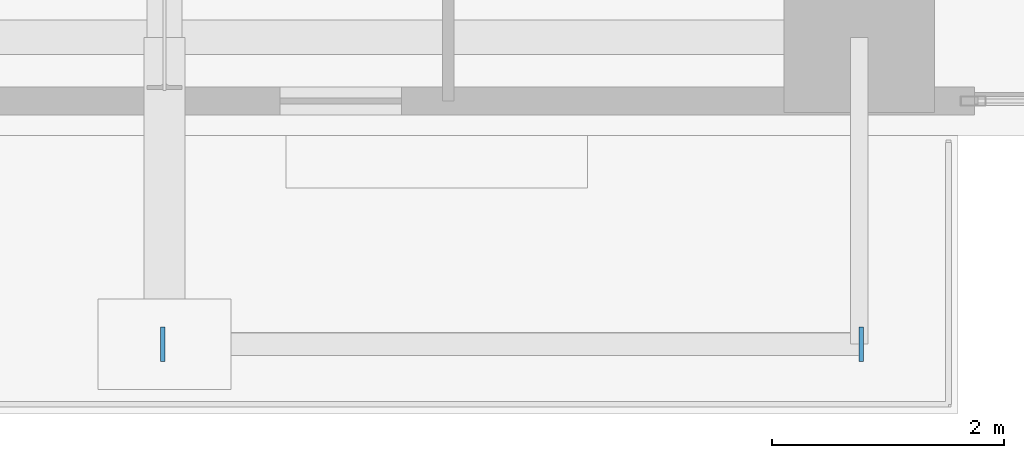
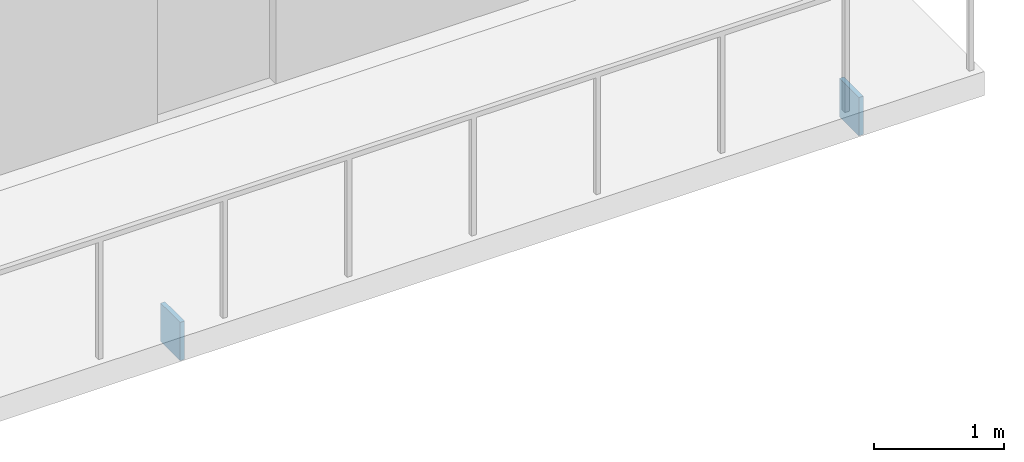
# One storey, part 19 of 27: 2 plates.
"""IFC4 building model written with IfcOpenShell, lengths in metres."""

from ifc_helpers import new_model, si_unit, direction, frame, origin, origin_2d, place, context, subcontext, project, spatial, rectangle, extrude, material, layer, layer_set, type_object, element, save


model = new_model("IFC4")

# Units and contexts
model_context = context("Model", 3, precision=1e-05, world=origin(), true_north=direction((0.0, 1.0)))
body_context = subcontext(model_context, "Body", "Model", "MODEL_VIEW")
ifc_project = project(units=[si_unit("LENGTHUNIT", "METRE"), si_unit("AREAUNIT", "SQUARE_METRE"), si_unit("VOLUMEUNIT", "CUBIC_METRE"), si_unit("PLANEANGLEUNIT", "RADIAN"), si_unit("MASSUNIT", "GRAM", prefix="KILO"), si_unit("THERMODYNAMICTEMPERATUREUNIT", "KELVIN"), si_unit("POWERUNIT", "WATT")], contexts=[model_context])

# Site, building, storey
site_placement = place(None, origin())
site = spatial("IfcSite", under=ifc_project, at=site_placement, CompositionType="ELEMENT")
building_placement = place(site_placement, origin())
building = spatial("IfcBuilding", under=site, at=building_placement, Name="Svarakhadi Broadcast Tower", CompositionType="ELEMENT")
storey_placement = place(building_placement, frame((0.0, 0.0, 87.0)))
storey = spatial("IfcBuildingStorey", under=building, at=storey_placement, Name="L20", CompositionType="ELEMENT", Elevation=87.0)

# Plates
ifc_material = material(Name="Steel S460ML (IS 2062 E450BR)", Category="steel")
ifc_layer = layer(ifc_material, 0.028076171875)
ifc_layer_set = layer_set([ifc_layer], Name="Steel S460ML (IS 2062 E450BR)")
plate_type = type_object("IfcPlateType", Name="Cap_Plate_CP02", PredefinedType="USERDEFINED", material=ifc_layer_set)
for number, where, z_axis, x_axis, name in (
    (1, (41.135009765625, -1.800048828125, -0.580078125), (0.0, 0.0, 1.0), (1.0, 0.0, 0.0), "L20 Balcony Spandrel End Cap Plate 1F-A"),
    (2, (47.1650390625, -1.800048828125, -0.580078125), (0.0, 0.0, 1.0), (1.0, 0.0, 0.0), "L20 Balcony Spandrel End Cap Plate 1F-B"),
):
    element("IfcPlate", number, at=place(storey_placement, frame(where, z_axis=z_axis, x_axis=x_axis)), inside=storey, type_object=plate_type, Name=name, ObjectType="FLANGE_PLATE", PredefinedType="USERDEFINED", context=body_context, shape_type="SweptSolid", body=[
        extrude(rectangle(XDim=0.0400390625, YDim=0.300048828125, at=origin_2d()), origin(), (0.0, 0.0, 1.0), 0.360107421875),
    ])

save(model, "model.ifc")
